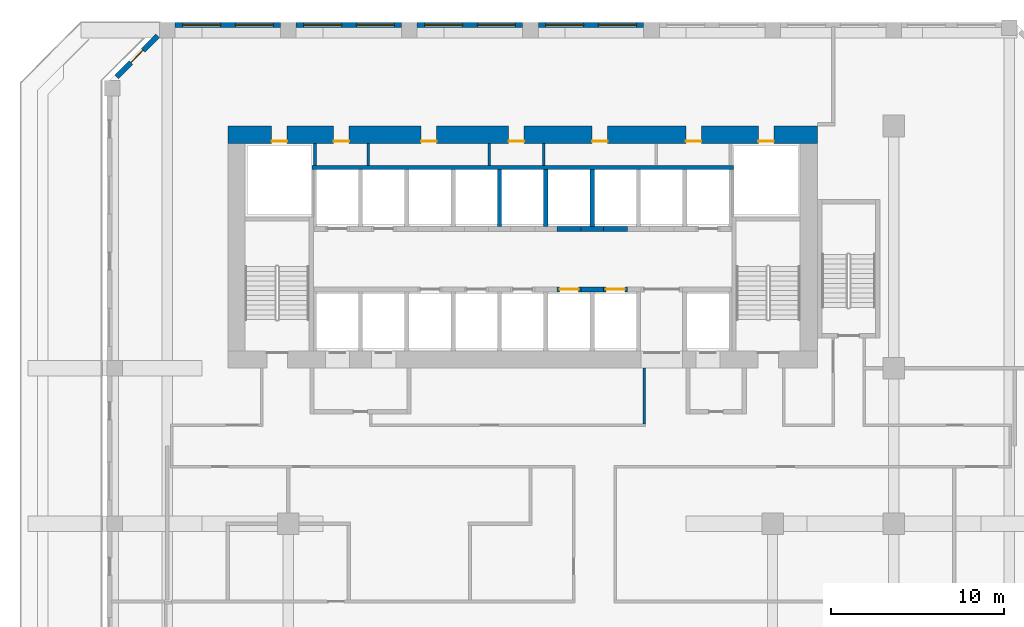
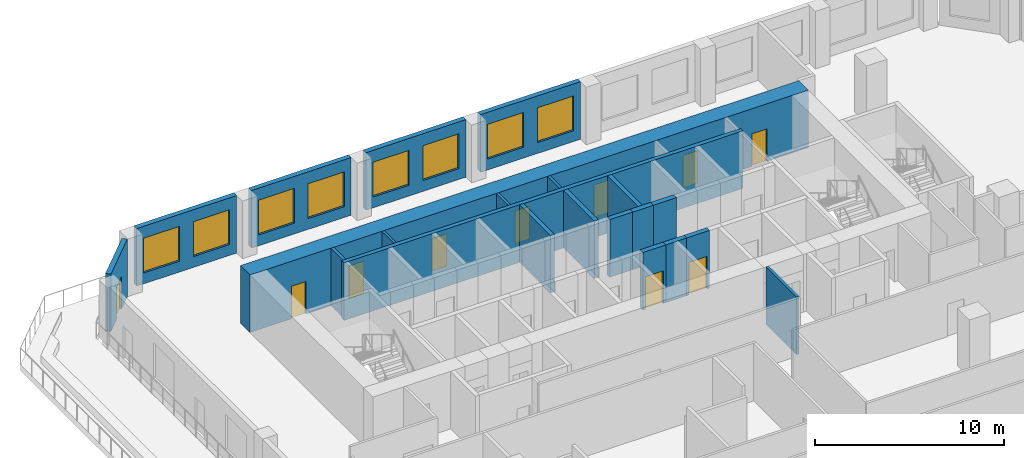
# One storey, part 15 of 20: 21 walls, 10 doors, 8 windows, 18 openings.
"""IFC4 building model written with IfcOpenShell, lengths in metres."""

from ifc_helpers import new_model, si_unit, direction, frame, frame_2d, origin, place, context, subcontext, project, spatial, rectangle, extrude, source, transform, mapped, material, layer, layer_set, type_object, element, fill, save


model = new_model("IFC4")

# Units and contexts
model_context = context("Model", 3, precision=1e-05, world=origin(), true_north=direction((0.0, 1.0)))
body_context = subcontext(model_context, "Body", "Model", "MODEL_VIEW")
ifc_project = project(units=[si_unit("LENGTHUNIT", "METRE"), si_unit("AREAUNIT", "SQUARE_METRE"), si_unit("VOLUMEUNIT", "CUBIC_METRE"), si_unit("PLANEANGLEUNIT", "RADIAN"), si_unit("MASSUNIT", "GRAM", prefix="KILO")], contexts=[model_context])

# Site, building, storey
site_placement = place(None, origin())
site = spatial("IfcSite", under=ifc_project, at=site_placement, CompositionType="ELEMENT")
building_placement = place(site_placement, origin())
building = spatial("IfcBuilding", under=site, at=building_placement, Name="Kilnfold Tower and Market Hall", CompositionType="ELEMENT")
storey_placement = place(building_placement, frame((0.0, 0.0, 63.199951171875)))
storey = spatial("IfcBuildingStorey", under=building, at=storey_placement, Name="L14", CompositionType="ELEMENT", Elevation=63.199951171875)

# Wall
ifc_material_1 = material(Name="Gypsum board on steel studs", Category="steel")
ifc_layer_1 = layer(ifc_material_1, 0.14990234375)
ifc_layer_set_1 = layer_set([ifc_layer_1], Name="Gypsum board on steel studs")
wall_type_1 = type_object("IfcWallType", Name="WALL CORRIDOR 150", PredefinedType="PARTITIONING", material=ifc_layer_set_1)
wall_1_placement = place(storey_placement, frame((8.090087890625, 8.0, 0.0), z_axis=(0.0, 0.0, 1.0), x_axis=(0.0, -1.0, 0.0)))
element("IfcWall", 1, at=wall_1_placement, inside=storey, type_object=wall_type_1, Name="Partition LY12.16", PredefinedType="PARTITIONING", context=body_context, shape_type="SweptSolid", body=[
    extrude(rectangle(XDim=3.22509765625, YDim=0.14990234375, at=frame_2d((1.612548828125, 0.0))), origin(), (0.0, 0.0, 1.0), 3.719970703125),
])

# Wall, openings, doors
ifc_material_2 = material(Name="Concrete C80", Category="concrete")
ifc_layer_2 = layer(ifc_material_2, 1.0)
ifc_layer_set_2 = layer_set([ifc_layer_2], Name="Concrete C80")
wall_type_2 = type_object("IfcWallType", Name="CORE WALL 1000 C80", PredefinedType="SHEAR", material=ifc_layer_set_2)
shared_shape_1 = source(origin(), body_context, "Body", "SweptSolid", [
    extrude(rectangle(XDim=34.10009765625, YDim=1.0, at=frame_2d((17.050048828125, 0.0))), origin(), (0.0, 0.0, 1.0), 3.719970703125),
])
wall_2_placement = place(storey_placement, frame((-16.0, 21.5, 0.0), z_axis=(0.0, 0.0, 1.0), x_axis=(1.0, 0.0, 0.0)))
wall_2 = element("IfcWall", 2, at=wall_2_placement, inside=storey, type_object=wall_type_2, Name="Core outer wall north", PredefinedType="SHEAR", context=body_context, shape_type="MappedRepresentation", body=[
    mapped(shared_shape_1, transform((0.0, 0.0, 0.0))),
])
opening_1_placement = place(wall_2_placement, frame((6.10791015625, 0.0, 0.0)))
opening_1 = element("IfcOpeningElement", 3, at=opening_1_placement, cuts=wall_2, Name="Opening KD1", PredefinedType="OPENING", context=body_context, shape_type="SweptSolid", body=[
    extrude(rectangle(XDim=0.89990234375, YDim=2.10009765625, at=frame_2d((0.449951171875, 1.050048828125))), frame((0.0, 0.510009765625, 0.0), z_axis=(0.0, -1.0, 0.0), x_axis=(1.0, 0.0, 0.0)), (0.0, 0.0, 1.0), 1.02001953125),
])
opening_2_placement = place(wall_2_placement, frame((11.173095703125, 0.0, 0.0)))
opening_2 = element("IfcOpeningElement", 4, at=opening_2_placement, cuts=wall_2, Name="Opening KD1", PredefinedType="OPENING", context=body_context, shape_type="SweptSolid", body=[
    extrude(rectangle(XDim=0.89990234375, YDim=2.10009765625, at=frame_2d((0.449951171875, 1.050048828125))), frame((0.0, 0.510009765625, 0.0), z_axis=(0.0, -1.0, 0.0), x_axis=(1.0, 0.0, 0.0)), (0.0, 0.0, 1.0), 1.02001953125),
])
opening_3_placement = place(wall_2_placement, frame((16.23828125, 0.0, 0.0)))
opening_3 = element("IfcOpeningElement", 5, at=opening_3_placement, cuts=wall_2, Name="Opening KD1", PredefinedType="OPENING", context=body_context, shape_type="SweptSolid", body=[
    extrude(rectangle(XDim=0.89990234375, YDim=2.10009765625, at=frame_2d((0.449951171875, 1.050048828125))), frame((0.0, 0.510009765625, 0.0), z_axis=(0.0, -1.0, 0.0), x_axis=(1.0, 0.0, 0.0)), (0.0, 0.0, 1.0), 1.02001953125),
])
opening_4_placement = place(wall_2_placement, frame((21.062255859375, 0.0, 0.0)))
opening_4 = element("IfcOpeningElement", 6, at=opening_4_placement, cuts=wall_2, Name="Opening KD1", PredefinedType="OPENING", context=body_context, shape_type="SweptSolid", body=[
    extrude(rectangle(XDim=0.89990234375, YDim=2.10009765625, at=frame_2d((0.449951171875, 1.050048828125))), frame((0.0, 0.510009765625, 0.0), z_axis=(0.0, -1.0, 0.0), x_axis=(1.0, 0.0, 0.0)), (0.0, 0.0, 1.0), 1.02001953125),
])
opening_5_placement = place(wall_2_placement, frame((26.4892578125, 0.0, 0.0)))
opening_5 = element("IfcOpeningElement", 7, at=opening_5_placement, cuts=wall_2, Name="Opening KD1", PredefinedType="OPENING", context=body_context, shape_type="SweptSolid", body=[
    extrude(rectangle(XDim=0.89990234375, YDim=2.10009765625, at=frame_2d((0.449951171875, 1.050048828125))), frame((0.0, 0.510009765625, 0.0), z_axis=(0.0, -1.0, 0.0), x_axis=(1.0, 0.0, 0.0)), (0.0, 0.0, 1.0), 1.02001953125),
])
opening_6_placement = place(wall_2_placement, frame((2.52490234375, 0.0, 0.0)))
opening_6 = element("IfcOpeningElement", 8, at=opening_6_placement, cuts=wall_2, Name="Opening KD1", PredefinedType="OPENING", context=body_context, shape_type="SweptSolid", body=[
    extrude(rectangle(XDim=0.89990234375, YDim=2.10009765625, at=frame_2d((0.449951171875, 1.050048828125))), frame((0.0, 0.510009765625, 0.0), z_axis=(0.0, -1.0, 0.0), x_axis=(1.0, 0.0, 0.0)), (0.0, 0.0, 1.0), 1.02001953125),
])
opening_7_placement = place(wall_2_placement, frame((30.675048828125, 0.0, 0.0)))
opening_7 = element("IfcOpeningElement", 9, at=opening_7_placement, cuts=wall_2, Name="Opening KD1", PredefinedType="OPENING", context=body_context, shape_type="SweptSolid", body=[
    extrude(rectangle(XDim=0.89990234375, YDim=2.10009765625, at=frame_2d((0.449951171875, 1.050048828125))), frame((0.0, 0.510009765625, 0.0), z_axis=(0.0, -1.0, 0.0), x_axis=(1.0, 0.0, 0.0)), (0.0, 0.0, 1.0), 1.02001953125),
])
ifc_material_3 = material(Name="Steel door set with fire-resisting leaf", Category="steel")
door_type_1 = type_object("IfcDoorType", Name="SERVICE DOOR 900X2100", OperationType="NOTDEFINED", PredefinedType="DOOR", material=ifc_material_3)
door_1_placement = place(opening_1_placement, origin())
door_1 = element("IfcDoor", 10, at=door_1_placement, inside=storey, type_object=door_type_1, Name="Core service door", OperationType="SINGLE_SWING_RIGHT", OverallHeight=2.10009765625, OverallWidth=0.89990234375, PredefinedType="DOOR", context=body_context, shape_type="SweptSolid", body=[
    extrude(rectangle(XDim=0.89990234375, YDim=2.10009765625, at=frame_2d((0.449951171875, 1.050048828125))), frame((0.0, -0.35498046875, 0.0), z_axis=(0.0, -1.0, 0.0), x_axis=(1.0, 0.0, 0.0)), (0.0, 0.0, 1.0), 0.050048828125),
])
fill(opening_1, door_1)
door_2_placement = place(opening_2_placement, origin())
door_2 = element("IfcDoor", 11, at=door_2_placement, inside=storey, type_object=door_type_1, Name="Core service door", OperationType="SINGLE_SWING_LEFT", OverallHeight=2.10009765625, OverallWidth=0.89990234375, PredefinedType="DOOR", context=body_context, shape_type="SweptSolid", body=[
    extrude(rectangle(XDim=0.89990234375, YDim=2.10009765625, at=frame_2d((0.449951171875, 1.050048828125))), frame((0.0, -0.35498046875, 0.0), z_axis=(0.0, -1.0, 0.0), x_axis=(1.0, 0.0, 0.0)), (0.0, 0.0, 1.0), 0.050048828125),
])
fill(opening_2, door_2)
door_3_placement = place(opening_3_placement, origin())
door_3 = element("IfcDoor", 12, at=door_3_placement, inside=storey, type_object=door_type_1, Name="Core service door", OperationType="SINGLE_SWING_RIGHT", OverallHeight=2.10009765625, OverallWidth=0.89990234375, PredefinedType="DOOR", context=body_context, shape_type="SweptSolid", body=[
    extrude(rectangle(XDim=0.89990234375, YDim=2.10009765625, at=frame_2d((0.449951171875, 1.050048828125))), frame((0.0, -0.35498046875, 0.0), z_axis=(0.0, -1.0, 0.0), x_axis=(1.0, 0.0, 0.0)), (0.0, 0.0, 1.0), 0.050048828125),
])
fill(opening_3, door_3)
door_4_placement = place(opening_4_placement, origin())
door_4 = element("IfcDoor", 13, at=door_4_placement, inside=storey, type_object=door_type_1, Name="Core service door", OperationType="SINGLE_SWING_LEFT", OverallHeight=2.10009765625, OverallWidth=0.89990234375, PredefinedType="DOOR", context=body_context, shape_type="SweptSolid", body=[
    extrude(rectangle(XDim=0.89990234375, YDim=2.10009765625, at=frame_2d((0.449951171875, 1.050048828125))), frame((0.0, -0.35498046875, 0.0), z_axis=(0.0, -1.0, 0.0), x_axis=(1.0, 0.0, 0.0)), (0.0, 0.0, 1.0), 0.050048828125),
])
fill(opening_4, door_4)
door_5_placement = place(opening_5_placement, origin())
door_5 = element("IfcDoor", 14, at=door_5_placement, inside=storey, type_object=door_type_1, Name="Core service door", OperationType="SINGLE_SWING_RIGHT", OverallHeight=2.10009765625, OverallWidth=0.89990234375, PredefinedType="DOOR", context=body_context, shape_type="SweptSolid", body=[
    extrude(rectangle(XDim=0.89990234375, YDim=2.10009765625, at=frame_2d((0.449951171875, 1.050048828125))), frame((0.0, -0.35498046875, 0.0), z_axis=(0.0, -1.0, 0.0), x_axis=(1.0, 0.0, 0.0)), (0.0, 0.0, 1.0), 0.050048828125),
])
fill(opening_5, door_5)
door_6_placement = place(opening_6_placement, origin())
door_6 = element("IfcDoor", 15, at=door_6_placement, inside=storey, type_object=door_type_1, Name="Electrical riser access door", OperationType="SINGLE_SWING_LEFT", OverallHeight=2.10009765625, OverallWidth=0.89990234375, PredefinedType="DOOR", context=body_context, shape_type="SweptSolid", body=[
    extrude(rectangle(XDim=0.89990234375, YDim=2.10009765625, at=frame_2d((0.449951171875, 1.050048828125))), frame((0.0, -0.35498046875, 0.0), z_axis=(0.0, -1.0, 0.0), x_axis=(1.0, 0.0, 0.0)), (0.0, 0.0, 1.0), 0.050048828125),
])
fill(opening_6, door_6)
door_7_placement = place(opening_7_placement, origin())
door_7 = element("IfcDoor", 16, at=door_7_placement, inside=storey, type_object=door_type_1, Name="Mechanical riser access door", OperationType="SINGLE_SWING_RIGHT", OverallHeight=2.10009765625, OverallWidth=0.89990234375, PredefinedType="DOOR", context=body_context, shape_type="SweptSolid", body=[
    extrude(rectangle(XDim=0.89990234375, YDim=2.10009765625, at=frame_2d((0.449951171875, 1.050048828125))), frame((0.0, -0.35498046875, 0.0), z_axis=(0.0, -1.0, 0.0), x_axis=(1.0, 0.0, 0.0)), (0.0, 0.0, 1.0), 0.050048828125),
])
fill(opening_7, door_7)

# Walls
ifc_material_4 = material(Name="Concrete C80", Category="concrete")
ifc_layer_3 = layer(ifc_material_4, 0.300048828125)
ifc_layer_set_3 = layer_set([ifc_layer_3], Name="Concrete C80")
wall_type_3 = type_object("IfcWallType", Name="CORE WALL 300 C80", PredefinedType="SHEAR", material=ifc_layer_set_3)
shared_shape_2 = source(origin(), body_context, "Body", "SweptSolid", [
    extrude(rectangle(XDim=1.280029296875, YDim=0.300048828125, at=frame_2d((0.64013671875, 0.0))), origin(), (0.0, 0.0, 1.0), 3.719970703125),
])
for number, where, z_axis, x_axis, name in (
    (17, (4.429931640625, 12.550048828125, 0.0), (0.0, 0.0, 1.0), (1.0, 0.0, 0.0), "Core spine wall"),
    (18, (4.429931640625, 16.050048828125, 0.0), (0.0, 0.0, 1.0), (1.0, 0.0, 0.0), "Core spine wall"),
):
    element("IfcWall", number, at=place(storey_placement, frame(where, z_axis=z_axis, x_axis=x_axis)), inside=storey, type_object=wall_type_3, Name=name, PredefinedType="SHEAR", context=body_context, shape_type="MappedRepresentation", body=[
        mapped(shared_shape_2, transform((0.0, 0.0, 0.0))),
    ])

# Wall, opening, door
ifc_material_5 = material(Name="Precast concrete C50/60", Category="concrete")
ifc_layer_4 = layer(ifc_material_5, 0.300048828125)
ifc_layer_set_4 = layer_set([ifc_layer_4], Name="Precast concrete C50/60")
wall_type_4 = type_object("IfcWallType", Name="PRECAST WALL 300", PredefinedType="SOLIDWALL", material=ifc_layer_set_4)
shared_shape_3 = source(origin(), body_context, "Body", "SweptSolid", [
    extrude(rectangle(XDim=3.35888671875, YDim=0.300048828125, at=frame_2d((1.679443359375, 0.0))), origin(), (0.0, 0.0, 1.0), 3.719970703125),
])
wall_3_placement = place(storey_placement, frame((-20.06884765625, 27.218994140625, 0.0), z_axis=(0.0, 0.0, 1.0), x_axis=(-0.707143122278, -0.707070438228, 0.0)))
wall_3 = element("IfcWall", 19, at=wall_3_placement, inside=storey, type_object=wall_type_4, Name="External wall L14 NW", PredefinedType="SOLIDWALL", context=body_context, shape_type="MappedRepresentation", body=[
    mapped(shared_shape_3, transform((0.0, 0.0, 0.0))),
])
opening_8_placement = place(wall_3_placement, frame((1.179443359375, 0.0, 0.0)))
opening_8 = element("IfcOpeningElement", 20, at=opening_8_placement, cuts=wall_3, Name="Opening BD1", PredefinedType="OPENING", context=body_context, shape_type="SweptSolid", body=[
    extrude(rectangle(XDim=1.0, YDim=2.10009765625, at=frame_2d((0.5, 1.050048828125))), frame((0.0, 0.16015625, 0.0), z_axis=(0.0, -1.0, 0.0), x_axis=(1.0, 0.0, 0.0)), (0.0, 0.0, 1.0), 0.320068359375),
])
ifc_material_6 = material(Name="Aluminium frame and double glazing", Category="aluminium")
door_type_2 = type_object("IfcDoorType", Name="BALCONY DOOR 1000X2100", OperationType="NOTDEFINED", PredefinedType="DOOR", material=ifc_material_6)
door_8_placement = place(opening_8_placement, origin())
door_8 = element("IfcDoor", 21, at=door_8_placement, inside=storey, type_object=door_type_2, Name="Balcony door BD1 L14 NW-1", OperationType="SINGLE_SWING_LEFT", OverallHeight=2.10009765625, OverallWidth=1.0, PredefinedType="DOOR", context=body_context, shape_type="SweptSolid", body=[
    extrude(rectangle(XDim=1.0, YDim=2.10009765625, at=frame_2d((0.5, 1.050048828125))), frame((0.0, 0.02490234375, 0.0), z_axis=(0.0, -1.0, 0.0), x_axis=(1.0, 0.0, 0.0)), (0.0, 0.0, 1.0), 0.050048828125),
])
fill(opening_8, door_8)

# Wall, openings, windows
shared_shape_4 = source(origin(), body_context, "Body", "SweptSolid", [
    extrude(rectangle(XDim=6.10009765625, YDim=0.300048828125, at=frame_2d((3.050048828125, 0.0))), origin(), (0.0, 0.0, 1.0), 3.719970703125),
])
wall_4_placement = place(storey_placement, frame((8.050048828125, 27.85009765625, 0.0), z_axis=(0.0, 0.0, 1.0), x_axis=(-1.0, 0.0, 0.0)))
wall_4 = element("IfcWall", 22, at=wall_4_placement, inside=storey, type_object=wall_type_4, Name="External wall L14 N", PredefinedType="SOLIDWALL", context=body_context, shape_type="MappedRepresentation", body=[
    mapped(shared_shape_4, transform((0.0, 0.0, 0.0))),
])
opening_9_placement = place(wall_4_placement, frame((0.425048828125, 0.0, 0.699951171875)))
opening_9 = element("IfcOpeningElement", 23, at=opening_9_placement, cuts=wall_4, Name="Opening W1", PredefinedType="OPENING", context=body_context, shape_type="SweptSolid", body=[
    extrude(rectangle(XDim=2.199951171875, YDim=2.25, at=frame_2d((1.10009765625, 1.125))), frame((0.0, 0.16015625, 0.0), z_axis=(0.0, -1.0, 0.0), x_axis=(1.0, 0.0, 0.0)), (0.0, 0.0, 1.0), 0.320068359375),
])
opening_10_placement = place(wall_4_placement, frame((3.47509765625, 0.0, 0.699951171875)))
opening_10 = element("IfcOpeningElement", 24, at=opening_10_placement, cuts=wall_4, Name="Opening W1", PredefinedType="OPENING", context=body_context, shape_type="SweptSolid", body=[
    extrude(rectangle(XDim=2.199951171875, YDim=2.25, at=frame_2d((1.10009765625, 1.125))), frame((0.0, 0.16015625, 0.0), z_axis=(0.0, -1.0, 0.0), x_axis=(1.0, 0.0, 0.0)), (0.0, 0.0, 1.0), 0.320068359375),
])
ifc_material_7 = material(Name="Aluminium frame and double glazing", Category="aluminium")
window_type = type_object("IfcWindowType", Name="WINDOW W1 2200X2250", PartitioningType="SINGLE_PANEL", PredefinedType="WINDOW", material=ifc_material_7)
window_1_placement = place(opening_9_placement, origin())
window_1 = element("IfcWindow", 25, at=window_1_placement, inside=storey, type_object=window_type, Name="Window W1 L14 N-1", OverallHeight=2.25, OverallWidth=2.199951171875, PartitioningType="SINGLE_PANEL", PredefinedType="WINDOW", context=body_context, shape_type="SweptSolid", body=[
    extrude(rectangle(XDim=2.199951171875, YDim=2.25, at=frame_2d((1.10009765625, 1.125))), frame((0.0, 0.030029296875, 0.0), z_axis=(0.0, -1.0, 0.0), x_axis=(1.0, 0.0, 0.0)), (0.0, 0.0, 1.0), 0.06005859375),
])
fill(opening_9, window_1)
window_2_placement = place(opening_10_placement, origin())
window_2 = element("IfcWindow", 26, at=window_2_placement, inside=storey, type_object=window_type, Name="Window W1 L14 N-2", OverallHeight=2.25, OverallWidth=2.199951171875, PartitioningType="SINGLE_PANEL", PredefinedType="WINDOW", context=body_context, shape_type="SweptSolid", body=[
    extrude(rectangle(XDim=2.199951171875, YDim=2.25, at=frame_2d((1.10009765625, 1.125))), frame((0.0, 0.030029296875, 0.0), z_axis=(0.0, -1.0, 0.0), x_axis=(1.0, 0.0, 0.0)), (0.0, 0.0, 1.0), 0.06005859375),
])
fill(opening_10, window_2)

wall_5_placement = place(storey_placement, frame((1.050048828125, 27.85009765625, 0.0), z_axis=(0.0, 0.0, 1.0), x_axis=(-1.0, 0.0, 0.0)))
wall_5 = element("IfcWall", 27, at=wall_5_placement, inside=storey, type_object=wall_type_4, Name="External wall L14 N", PredefinedType="SOLIDWALL", context=body_context, shape_type="MappedRepresentation", body=[
    mapped(shared_shape_4, transform((0.0, 0.0, 0.0))),
])
opening_11_placement = place(wall_5_placement, frame((0.425048828125, 0.0, 0.699951171875)))
opening_11 = element("IfcOpeningElement", 28, at=opening_11_placement, cuts=wall_5, Name="Opening W1", PredefinedType="OPENING", context=body_context, shape_type="SweptSolid", body=[
    extrude(rectangle(XDim=2.199951171875, YDim=2.25, at=frame_2d((1.10009765625, 1.125))), frame((0.0, 0.16015625, 0.0), z_axis=(0.0, -1.0, 0.0), x_axis=(1.0, 0.0, 0.0)), (0.0, 0.0, 1.0), 0.320068359375),
])
opening_12_placement = place(wall_5_placement, frame((3.47509765625, 0.0, 0.699951171875)))
opening_12 = element("IfcOpeningElement", 29, at=opening_12_placement, cuts=wall_5, Name="Opening W1", PredefinedType="OPENING", context=body_context, shape_type="SweptSolid", body=[
    extrude(rectangle(XDim=2.199951171875, YDim=2.25, at=frame_2d((1.10009765625, 1.125))), frame((0.0, 0.16015625, 0.0), z_axis=(0.0, -1.0, 0.0), x_axis=(1.0, 0.0, 0.0)), (0.0, 0.0, 1.0), 0.320068359375),
])
window_3_placement = place(opening_11_placement, origin())
window_3 = element("IfcWindow", 30, at=window_3_placement, inside=storey, type_object=window_type, Name="Window W1 L14 N-1", OverallHeight=2.25, OverallWidth=2.199951171875, PartitioningType="SINGLE_PANEL", PredefinedType="WINDOW", context=body_context, shape_type="SweptSolid", body=[
    extrude(rectangle(XDim=2.199951171875, YDim=2.25, at=frame_2d((1.10009765625, 1.125))), frame((0.0, 0.030029296875, 0.0), z_axis=(0.0, -1.0, 0.0), x_axis=(1.0, 0.0, 0.0)), (0.0, 0.0, 1.0), 0.06005859375),
])
fill(opening_11, window_3)
window_4_placement = place(opening_12_placement, origin())
window_4 = element("IfcWindow", 31, at=window_4_placement, inside=storey, type_object=window_type, Name="Window W1 L14 N-2", OverallHeight=2.25, OverallWidth=2.199951171875, PartitioningType="SINGLE_PANEL", PredefinedType="WINDOW", context=body_context, shape_type="SweptSolid", body=[
    extrude(rectangle(XDim=2.199951171875, YDim=2.25, at=frame_2d((1.10009765625, 1.125))), frame((0.0, 0.030029296875, 0.0), z_axis=(0.0, -1.0, 0.0), x_axis=(1.0, 0.0, 0.0)), (0.0, 0.0, 1.0), 0.06005859375),
])
fill(opening_12, window_4)

wall_6_placement = place(storey_placement, frame((-5.949951171875, 27.85009765625, 0.0), z_axis=(0.0, 0.0, 1.0), x_axis=(-1.0, 0.0, 0.0)))
wall_6 = element("IfcWall", 32, at=wall_6_placement, inside=storey, type_object=wall_type_4, Name="External wall L14 N", PredefinedType="SOLIDWALL", context=body_context, shape_type="MappedRepresentation", body=[
    mapped(shared_shape_4, transform((0.0, 0.0, 0.0))),
])
opening_13_placement = place(wall_6_placement, frame((0.425048828125, 0.0, 0.699951171875)))
opening_13 = element("IfcOpeningElement", 33, at=opening_13_placement, cuts=wall_6, Name="Opening W1", PredefinedType="OPENING", context=body_context, shape_type="SweptSolid", body=[
    extrude(rectangle(XDim=2.199951171875, YDim=2.25, at=frame_2d((1.10009765625, 1.125))), frame((0.0, 0.16015625, 0.0), z_axis=(0.0, -1.0, 0.0), x_axis=(1.0, 0.0, 0.0)), (0.0, 0.0, 1.0), 0.320068359375),
])
opening_14_placement = place(wall_6_placement, frame((3.47509765625, 0.0, 0.699951171875)))
opening_14 = element("IfcOpeningElement", 34, at=opening_14_placement, cuts=wall_6, Name="Opening W1", PredefinedType="OPENING", context=body_context, shape_type="SweptSolid", body=[
    extrude(rectangle(XDim=2.199951171875, YDim=2.25, at=frame_2d((1.10009765625, 1.125))), frame((0.0, 0.16015625, 0.0), z_axis=(0.0, -1.0, 0.0), x_axis=(1.0, 0.0, 0.0)), (0.0, 0.0, 1.0), 0.320068359375),
])
window_5_placement = place(opening_13_placement, origin())
window_5 = element("IfcWindow", 35, at=window_5_placement, inside=storey, type_object=window_type, Name="Window W1 L14 N-1", OverallHeight=2.25, OverallWidth=2.199951171875, PartitioningType="SINGLE_PANEL", PredefinedType="WINDOW", context=body_context, shape_type="SweptSolid", body=[
    extrude(rectangle(XDim=2.199951171875, YDim=2.25, at=frame_2d((1.10009765625, 1.125))), frame((0.0, 0.030029296875, 0.0), z_axis=(0.0, -1.0, 0.0), x_axis=(1.0, 0.0, 0.0)), (0.0, 0.0, 1.0), 0.06005859375),
])
fill(opening_13, window_5)
window_6_placement = place(opening_14_placement, origin())
window_6 = element("IfcWindow", 36, at=window_6_placement, inside=storey, type_object=window_type, Name="Window W1 L14 N-2", OverallHeight=2.25, OverallWidth=2.199951171875, PartitioningType="SINGLE_PANEL", PredefinedType="WINDOW", context=body_context, shape_type="SweptSolid", body=[
    extrude(rectangle(XDim=2.199951171875, YDim=2.25, at=frame_2d((1.10009765625, 1.125))), frame((0.0, 0.030029296875, 0.0), z_axis=(0.0, -1.0, 0.0), x_axis=(1.0, 0.0, 0.0)), (0.0, 0.0, 1.0), 0.06005859375),
])
fill(opening_14, window_6)

wall_7_placement = place(storey_placement, frame((-12.949951171875, 27.85009765625, 0.0), z_axis=(0.0, 0.0, 1.0), x_axis=(-1.0, 0.0, 0.0)))
wall_7 = element("IfcWall", 37, at=wall_7_placement, inside=storey, type_object=wall_type_4, Name="External wall L14 N", PredefinedType="SOLIDWALL", context=body_context, shape_type="MappedRepresentation", body=[
    mapped(shared_shape_4, transform((0.0, 0.0, 0.0))),
])
opening_15_placement = place(wall_7_placement, frame((0.425048828125, 0.0, 0.699951171875)))
opening_15 = element("IfcOpeningElement", 38, at=opening_15_placement, cuts=wall_7, Name="Opening W1", PredefinedType="OPENING", context=body_context, shape_type="SweptSolid", body=[
    extrude(rectangle(XDim=2.199951171875, YDim=2.25, at=frame_2d((1.10009765625, 1.125))), frame((0.0, 0.16015625, 0.0), z_axis=(0.0, -1.0, 0.0), x_axis=(1.0, 0.0, 0.0)), (0.0, 0.0, 1.0), 0.320068359375),
])
opening_16_placement = place(wall_7_placement, frame((3.47509765625, 0.0, 0.699951171875)))
opening_16 = element("IfcOpeningElement", 39, at=opening_16_placement, cuts=wall_7, Name="Opening W1", PredefinedType="OPENING", context=body_context, shape_type="SweptSolid", body=[
    extrude(rectangle(XDim=2.199951171875, YDim=2.25, at=frame_2d((1.10009765625, 1.125))), frame((0.0, 0.16015625, 0.0), z_axis=(0.0, -1.0, 0.0), x_axis=(1.0, 0.0, 0.0)), (0.0, 0.0, 1.0), 0.320068359375),
])
window_7_placement = place(opening_15_placement, origin())
window_7 = element("IfcWindow", 40, at=window_7_placement, inside=storey, type_object=window_type, Name="Window W1 L14 N-1", OverallHeight=2.25, OverallWidth=2.199951171875, PartitioningType="SINGLE_PANEL", PredefinedType="WINDOW", context=body_context, shape_type="SweptSolid", body=[
    extrude(rectangle(XDim=2.199951171875, YDim=2.25, at=frame_2d((1.10009765625, 1.125))), frame((0.0, 0.030029296875, 0.0), z_axis=(0.0, -1.0, 0.0), x_axis=(1.0, 0.0, 0.0)), (0.0, 0.0, 1.0), 0.06005859375),
])
fill(opening_15, window_7)
window_8_placement = place(opening_16_placement, origin())
window_8 = element("IfcWindow", 41, at=window_8_placement, inside=storey, type_object=window_type, Name="Window W1 L14 N-2", OverallHeight=2.25, OverallWidth=2.199951171875, PartitioningType="SINGLE_PANEL", PredefinedType="WINDOW", context=body_context, shape_type="SweptSolid", body=[
    extrude(rectangle(XDim=2.199951171875, YDim=2.25, at=frame_2d((1.10009765625, 1.125))), frame((0.0, 0.030029296875, 0.0), z_axis=(0.0, -1.0, 0.0), x_axis=(1.0, 0.0, 0.0)), (0.0, 0.0, 1.0), 0.06005859375),
])
fill(opening_16, window_8)

# Wall, opening, door
ifc_material_8 = material(Name="Gypsum shaft wall system")
ifc_layer_5 = layer(ifc_material_8, 0.300048828125)
ifc_layer_set_5 = layer_set([ifc_layer_5], Name="Gypsum shaft wall system")
wall_type_5 = type_object("IfcWallType", Name="SHAFT WALL 300", PredefinedType="PARTITIONING", material=ifc_layer_set_5)
shared_shape_5 = source(origin(), body_context, "Body", "SweptSolid", [
    extrude(rectangle(XDim=1.39990234375, YDim=0.300048828125, at=frame_2d((0.699951171875, 0.0))), origin(), (0.0, 0.0, 1.0), 3.719970703125),
])
wall_8_placement = place(storey_placement, frame((3.030029296875, 12.550048828125, 0.0), z_axis=(0.0, 0.0, 1.0), x_axis=(1.0, 0.0, 0.0)))
wall_8 = element("IfcWall", 42, at=wall_8_placement, inside=storey, type_object=wall_type_5, Name="Lift shaft front wall", PredefinedType="PARTITIONING", context=body_context, shape_type="MappedRepresentation", body=[
    mapped(shared_shape_5, transform((0.0, 0.0, 0.0))),
])
opening_17_placement = place(wall_8_placement, frame((0.14990234375, 0.0, 0.0)))
opening_17 = element("IfcOpeningElement", 43, at=opening_17_placement, cuts=wall_8, Name="Opening LD2", PredefinedType="OPENING", context=body_context, shape_type="SweptSolid", body=[
    extrude(rectangle(XDim=1.10009765625, YDim=2.10009765625, at=frame_2d((0.550048828125, 1.050048828125))), frame((0.0, 0.16015625, 0.0), z_axis=(0.0, -1.0, 0.0), x_axis=(1.0, 0.0, 0.0)), (0.0, 0.0, 1.0), 0.320068359375),
])
ifc_material_9 = material(Name="Steel door set with fire-resisting leaf", Category="steel")
door_type_3 = type_object("IfcDoorType", Name="LANDING DOOR 1100X2100", OperationType="NOTDEFINED", PredefinedType="DOOR", material=ifc_material_9)
door_9_placement = place(opening_17_placement, origin())
door_9 = element("IfcDoor", 44, at=door_9_placement, inside=storey, type_object=door_type_3, Name="Landing door LR4", OperationType="DOUBLE_DOOR_SLIDING", OverallHeight=2.10009765625, OverallWidth=1.10009765625, PredefinedType="DOOR", context=body_context, shape_type="SweptSolid", body=[
    extrude(rectangle(XDim=1.10009765625, YDim=2.10009765625, at=frame_2d((0.550048828125, 1.050048828125))), frame((0.0, 0.02490234375, 0.0), z_axis=(0.0, -1.0, 0.0), x_axis=(1.0, 0.0, 0.0)), (0.0, 0.0, 1.0), 0.050048828125),
])
fill(opening_17, door_9)

# Wall
wall_9_placement = place(storey_placement, frame((3.030029296875, 16.050048828125, 0.0), z_axis=(0.0, 0.0, 1.0), x_axis=(1.0, 0.0, 0.0)))
element("IfcWall", 45, at=wall_9_placement, inside=storey, type_object=wall_type_5, Name="Lift shaft front wall", PredefinedType="PARTITIONING", context=body_context, shape_type="MappedRepresentation", body=[
    mapped(shared_shape_5, transform((0.0, 0.0, 0.0))),
])

# Wall, opening, door
shared_shape_6 = source(origin(), body_context, "Body", "SweptSolid", [
    extrude(rectangle(XDim=1.400146484375, YDim=0.300048828125, at=frame_2d((0.7001953125, 0.0))), origin(), (0.0, 0.0, 1.0), 3.719970703125),
])
wall_10_placement = place(storey_placement, frame((5.7099609375, 12.550048828125, 0.0), z_axis=(0.0, 0.0, 1.0), x_axis=(1.0, 0.0, 0.0)))
wall_10 = element("IfcWall", 46, at=wall_10_placement, inside=storey, type_object=wall_type_5, Name="Lift shaft front wall", PredefinedType="PARTITIONING", context=body_context, shape_type="MappedRepresentation", body=[
    mapped(shared_shape_6, transform((0.0, 0.0, 0.0))),
])
opening_18_placement = place(wall_10_placement, frame((0.14990234375, 0.0, 0.0)))
opening_18 = element("IfcOpeningElement", 47, at=opening_18_placement, cuts=wall_10, Name="Opening LD2", PredefinedType="OPENING", context=body_context, shape_type="SweptSolid", body=[
    extrude(rectangle(XDim=1.10009765625, YDim=2.10009765625, at=frame_2d((0.550048828125, 1.050048828125))), frame((0.0, 0.16015625, 0.0), z_axis=(0.0, -1.0, 0.0), x_axis=(1.0, 0.0, 0.0)), (0.0, 0.0, 1.0), 0.320068359375),
])
door_10_placement = place(opening_18_placement, origin())
door_10 = element("IfcDoor", 48, at=door_10_placement, inside=storey, type_object=door_type_3, Name="Landing door LR5", OperationType="DOUBLE_DOOR_SLIDING", OverallHeight=2.10009765625, OverallWidth=1.10009765625, PredefinedType="DOOR", context=body_context, shape_type="SweptSolid", body=[
    extrude(rectangle(XDim=1.10009765625, YDim=2.10009765625, at=frame_2d((0.550048828125, 1.050048828125))), frame((0.0, 0.02490234375, 0.0), z_axis=(0.0, -1.0, 0.0), x_axis=(1.0, 0.0, 0.0)), (0.0, 0.0, 1.0), 0.050048828125),
])
fill(opening_18, door_10)

# Walls
wall_11_placement = place(storey_placement, frame((5.7099609375, 16.050048828125, 0.0), z_axis=(0.0, 0.0, 1.0), x_axis=(1.0, 0.0, 0.0)))
element("IfcWall", 49, at=wall_11_placement, inside=storey, type_object=wall_type_5, Name="Lift shaft front wall", PredefinedType="PARTITIONING", context=body_context, shape_type="MappedRepresentation", body=[
    mapped(shared_shape_6, transform((0.0, 0.0, 0.0))),
])
ifc_material_10 = material(Name="Gypsum shaft wall system")
ifc_layer_6 = layer(ifc_material_10, 0.25)
ifc_layer_set_6 = layer_set([ifc_layer_6], Name="Gypsum shaft wall system")
wall_type_6 = type_object("IfcWallType", Name="SHAFT WALL 250", PredefinedType="PARTITIONING", material=ifc_layer_set_6)
shared_shape_7 = source(origin(), body_context, "Body", "SweptSolid", [
    extrude(rectangle(XDim=24.3701171875, YDim=0.25, at=frame_2d((12.18505859375, 0.0))), origin(), (0.0, 0.0, 1.0), 3.719970703125),
])
wall_12_placement = place(storey_placement, frame((-11.135009765625, 19.60009765625, 0.0), z_axis=(0.0, 0.0, 1.0), x_axis=(1.0, 0.0, 0.0)))
element("IfcWall", 50, at=wall_12_placement, inside=storey, type_object=wall_type_6, Name="Lift shaft wall", PredefinedType="PARTITIONING", context=body_context, shape_type="MappedRepresentation", body=[
    mapped(shared_shape_7, transform((0.0, 0.0, 0.0))),
])
ifc_material_11 = material(Name="Gypsum shaft wall system")
ifc_layer_7 = layer(ifc_material_11, 0.1650390625)
ifc_layer_set_7 = layer_set([ifc_layer_7], Name="Gypsum shaft wall system")
wall_type_7 = type_object("IfcWallType", Name="SHAFT WALL 165", PredefinedType="PARTITIONING", material=ifc_layer_set_7)
shared_shape_8 = source(origin(), body_context, "Body", "SweptSolid", [
    extrude(rectangle(XDim=1.27490234375, YDim=0.1650390625, at=frame_2d((0.637451171875, 0.0))), origin(), (0.0, 0.0, 1.0), 3.719970703125),
])
wall_13_placement = place(storey_placement, frame((-10.967529296875, 19.72509765625, 0.0), z_axis=(0.0, 0.0, 1.0), x_axis=(0.0, 1.0, 0.0)))
element("IfcWall", 51, at=wall_13_placement, inside=storey, type_object=wall_type_7, Name="Lift shaft wall", PredefinedType="PARTITIONING", context=body_context, shape_type="MappedRepresentation", body=[
    mapped(shared_shape_8, transform((0.0, 0.0, 0.0))),
])
shared_shape_9 = source(origin(), body_context, "Body", "SweptSolid", [
    extrude(rectangle(XDim=3.275146484375, YDim=0.25, at=frame_2d((1.6376953125, 0.0))), origin(), (0.0, 0.0, 1.0), 3.719970703125),
])
for number, where, z_axis, x_axis, name in (
    (52, (2.389892578125, 16.199951171875, 0.0), (0.0, 0.0, 1.0), (0.0, 1.0, 0.0), "Lift shaft wall"),
    (53, (5.070068359375, 16.199951171875, 0.0), (0.0, 0.0, 1.0), (0.0, 1.0, 0.0), "Lift shaft wall"),
    (54, (-0.2900390625, 16.199951171875, 0.0), (0.0, 0.0, 1.0), (0.0, 1.0, 0.0), "Lift shaft wall"),
):
    element("IfcWall", number, at=place(storey_placement, frame(where, z_axis=z_axis, x_axis=x_axis)), inside=storey, type_object=wall_type_6, Name=name, PredefinedType="PARTITIONING", context=body_context, shape_type="MappedRepresentation", body=[
        mapped(shared_shape_9, transform((0.0, 0.0, 0.0))),
    ])
ifc_material_12 = material(Name="Gypsum shaft wall system")
ifc_layer_8 = layer(ifc_material_12, 0.14990234375)
ifc_layer_set_8 = layer_set([ifc_layer_8], Name="Gypsum shaft wall system")
wall_type_8 = type_object("IfcWallType", Name="ROOM WALL 150", PredefinedType="PARTITIONING", material=ifc_layer_set_8)
shared_shape_10 = source(origin(), body_context, "Body", "SweptSolid", [
    extrude(rectangle(XDim=1.27490234375, YDim=0.14990234375, at=frame_2d((0.637451171875, 0.0))), origin(), (0.0, 0.0, 1.0), 3.719970703125),
])
for number, where, z_axis, x_axis, name in (
    (55, (-7.87451171875, 19.72509765625, 0.0), (0.0, 0.0, 1.0), (0.0, 1.0, 0.0), "Core room wall"),
    (56, (-0.879638671875, 19.72509765625, 0.0), (0.0, 0.0, 1.0), (0.0, 1.0, 0.0), "Core room wall"),
    (57, (2.256103515625, 19.72509765625, 0.0), (0.0, 0.0, 1.0), (0.0, 1.0, 0.0), "Core room wall"),
):
    element("IfcWall", number, at=place(storey_placement, frame(where, z_axis=z_axis, x_axis=x_axis)), inside=storey, type_object=wall_type_8, Name=name, PredefinedType="PARTITIONING", context=body_context, shape_type="MappedRepresentation", body=[
        mapped(shared_shape_10, transform((0.0, 0.0, 0.0))),
    ])

save(model, "model.ifc")
